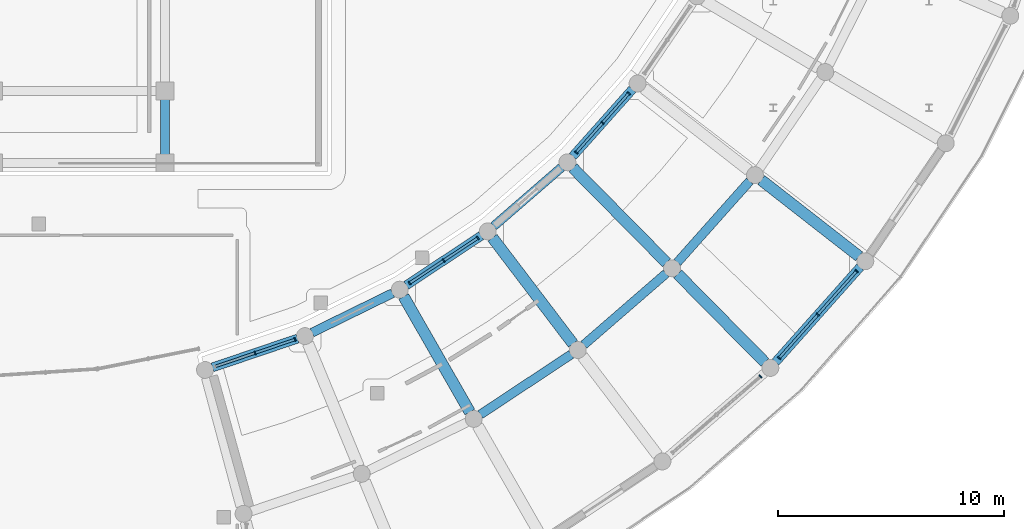
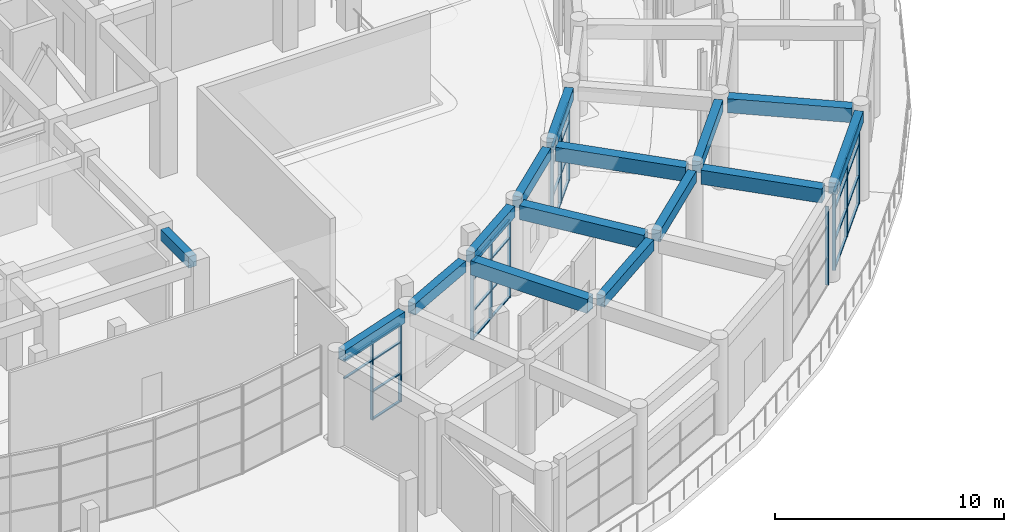
# One storey, part 29 of 99: 42 members, 15 beams, 5 elements without a shape of their own.
"""IFC4 building model written with IfcOpenShell, lengths in metres."""

from ifc_helpers import new_model, si_unit, direction, frame, origin, origin_2d, place, context, subcontext, project, spatial, rectangle, extrude, material, material_profile, profile_set, type_object, element, aggregate, save


model = new_model("IFC4")

# Units and contexts
model_context = context("Model", 3, precision=1e-05, world=origin(), true_north=direction((0.0, 1.0)))
body_context = subcontext(model_context, "Body", "Model", "MODEL_VIEW")
ifc_project = project(units=[si_unit("LENGTHUNIT", "METRE"), si_unit("AREAUNIT", "SQUARE_METRE"), si_unit("VOLUMEUNIT", "CUBIC_METRE"), si_unit("PLANEANGLEUNIT", "RADIAN"), si_unit("MASSUNIT", "GRAM", prefix="KILO")], contexts=[model_context])

# Site, building, storey
site_placement = place(None, origin())
site = spatial("IfcSite", under=ifc_project, at=site_placement, CompositionType="ELEMENT")
building_placement = place(site_placement, origin())
building = spatial("IfcBuilding", under=site, at=building_placement, Name="Saryqyr Civic Hall", CompositionType="ELEMENT")
storey_placement = place(building_placement, origin())
storey = spatial("IfcBuildingStorey", under=building, at=storey_placement, Name="L00", CompositionType="ELEMENT", Elevation=0.0)

# Curtain wall, members
ifc_material_1 = material(Name="Anodised aluminium and triple low-E glass", Category="aluminium")
curtain_wall_type_1 = type_object("IfcCurtainWallType", Name="ENV-CW-STD-07", PredefinedType="NOTDEFINED", material=ifc_material_1)
curtain_wall_1_placement = place(storey_placement, origin())
curtain_wall_1 = element("IfcCurtainWall", 1, at=curtain_wall_1_placement, inside=storey, type_object=curtain_wall_type_1, Name="Curtain wall V5-CWI-L00-00", PredefinedType="NOTDEFINED")
ifc_material_2 = material(Name="Anodised aluminium", Category="aluminium")
ifc_material_profile_1 = material_profile(ifc_material_2, rectangle(XDim=0.06005859375, YDim=0.159912109375, at=origin_2d()), Name="ALU MULLION 60x160")
ifc_profile_set_1 = profile_set([ifc_material_profile_1], Name="Anodised aluminium")
member_type_1 = type_object("IfcMemberType", Name="ENV-CW-MUL-180", PredefinedType="MULLION", material=ifc_profile_set_1)
member_1_placement = place(storey_placement, frame((68.58349609375, 49.782958984375, 0.0), z_axis=(0.0, 0.0, 1.0), x_axis=(0.947204286337, 0.320630690896, 0.0)))
member_1 = element("IfcMember", 2, at=member_1_placement, type_object=member_type_1, Name="CW-07 mullion 2", PredefinedType="MULLION", context=body_context, shape_type="SweptSolid", body=[
    extrude(rectangle(XDim=0.06005859375, YDim=0.159912109375, at=origin_2d()), origin(), (0.0, 0.0, 1.0), 4.195068359375),
])
member_2_placement = place(storey_placement, frame((70.354248046875, 50.382568359375, 0.0), z_axis=(0.0, 0.0, 1.0), x_axis=(0.947204286337, 0.320630690896, 0.0)))
member_2 = element("IfcMember", 3, at=member_2_placement, type_object=member_type_1, Name="CW-07 mullion 3", PredefinedType="MULLION", context=body_context, shape_type="SweptSolid", body=[
    extrude(rectangle(XDim=0.06005859375, YDim=0.159912109375, at=origin_2d()), origin(), (0.0, 0.0, 1.0), 4.195068359375),
])

curtain_wall_type_2 = type_object("IfcCurtainWallType", Name="ENV-CW-STD-09", PredefinedType="NOTDEFINED", material=ifc_material_1)
curtain_wall_2_placement = place(storey_placement, origin())
curtain_wall_2 = element("IfcCurtainWall", 4, at=curtain_wall_2_placement, inside=storey, type_object=curtain_wall_type_2, Name="Curtain wall V5-CWI-L00-02", PredefinedType="NOTDEFINED")
member_3_placement = place(storey_placement, frame((75.435791015625, 52.88134765625, 0.0), z_axis=(0.0, 0.0, 1.0), x_axis=(0.83376461572, 0.552120064455, 0.0)))
member_3 = element("IfcMember", 5, at=member_3_placement, type_object=member_type_1, Name="CW-09 mullion 1", PredefinedType="MULLION", context=body_context, shape_type="SweptSolid", body=[
    extrude(rectangle(XDim=0.06005859375, YDim=0.159912109375, at=origin_2d()), origin(), (0.0, 0.0, 1.0), 4.195068359375),
])
member_4_placement = place(storey_placement, frame((76.945068359375, 53.880615234375, 0.0), z_axis=(0.0, 0.0, 1.0), x_axis=(0.83376461572, 0.552120064455, 0.0)))
member_4 = element("IfcMember", 6, at=member_4_placement, type_object=member_type_1, Name="CW-09 mullion 2", PredefinedType="MULLION", context=body_context, shape_type="SweptSolid", body=[
    extrude(rectangle(XDim=0.06005859375, YDim=0.159912109375, at=origin_2d()), origin(), (0.0, 0.0, 1.0), 4.195068359375),
])
member_5_placement = place(storey_placement, frame((78.4541015625, 54.8798828125, 0.0), z_axis=(0.0, 0.0, 1.0), x_axis=(0.83376461572, 0.552120064455, 0.0)))
member_5 = element("IfcMember", 7, at=member_5_placement, type_object=member_type_1, Name="CW-09 mullion 3", PredefinedType="MULLION", context=body_context, shape_type="SweptSolid", body=[
    extrude(rectangle(XDim=0.06005859375, YDim=0.159912109375, at=origin_2d()), origin(), (0.0, 0.0, 1.0), 4.195068359375),
])

# Curtain wall, member
curtain_wall_type_3 = type_object("IfcCurtainWallType", Name="ENV-CW-STD-34", PredefinedType="NOTDEFINED", material=ifc_material_1)
curtain_wall_3_placement = place(storey_placement, origin())
curtain_wall_3 = element("IfcCurtainWall", 8, at=curtain_wall_3_placement, inside=storey, type_object=curtain_wall_type_3, Name="Curtain wall V5-CWO-L00-03", PredefinedType="NOTDEFINED")
member_6_placement = place(storey_placement, frame((90.97998046875, 48.743408203125, 0.0), z_axis=(0.0, 0.0, 1.0), x_axis=(-0.755656276333, -0.654968390107, 0.0)))
member_6 = element("IfcMember", 9, at=member_6_placement, type_object=member_type_1, Name="CW-34 mullion 1", PredefinedType="MULLION", context=body_context, shape_type="SweptSolid", body=[
    extrude(rectangle(XDim=0.06005859375, YDim=0.159912109375, at=origin_2d()), origin(), (0.0, 0.0, 1.0), 4.195068359375),
])
aggregate(curtain_wall_3, [member_6])

# Curtain wall, members
curtain_wall_4_placement = place(storey_placement, origin())
curtain_wall_4 = element("IfcCurtainWall", 10, at=curtain_wall_4_placement, inside=storey, type_object=curtain_wall_type_3, Name="Curtain wall V5-CWO-L00-04", PredefinedType="NOTDEFINED")
member_7_placement = place(storey_placement, frame((95.236328125, 53.412109375, 0.0), z_axis=(0.0, 0.0, 1.0), x_axis=(-0.66492757673, -0.74690783749, 0.0)))
member_7 = element("IfcMember", 11, at=member_7_placement, type_object=member_type_1, Name="CW-34 mullion 1", PredefinedType="MULLION", context=body_context, shape_type="SweptSolid", body=[
    extrude(rectangle(XDim=0.06005859375, YDim=0.159912109375, at=origin_2d()), origin(), (0.0, 0.0, 1.0), 4.195068359375),
])
member_8_placement = place(storey_placement, frame((93.521728515625, 51.486083984375, 0.0), z_axis=(0.0, 0.0, 1.0), x_axis=(-0.66492757673, -0.74690783749, 0.0)))
member_8 = element("IfcMember", 12, at=member_8_placement, type_object=member_type_1, Name="CW-34 mullion 2", PredefinedType="MULLION", context=body_context, shape_type="SweptSolid", body=[
    extrude(rectangle(XDim=0.06005859375, YDim=0.159912109375, at=origin_2d()), origin(), (0.0, 0.0, 1.0), 4.195068359375),
])
member_9_placement = place(storey_placement, frame((91.80712890625, 49.56005859375, 0.0), z_axis=(0.0, 0.0, 1.0), x_axis=(-0.66492757673, -0.74690783749, 0.0)))
member_9 = element("IfcMember", 13, at=member_9_placement, type_object=member_type_1, Name="CW-34 mullion 3", PredefinedType="MULLION", context=body_context, shape_type="SweptSolid", body=[
    extrude(rectangle(XDim=0.06005859375, YDim=0.159912109375, at=origin_2d()), origin(), (0.0, 0.0, 1.0), 4.195068359375),
])

curtain_wall_type_4 = type_object("IfcCurtainWallType", Name="ENV-CW-STD-11", PredefinedType="NOTDEFINED", material=ifc_material_1)
curtain_wall_5_placement = place(storey_placement, origin())
curtain_wall_5 = element("IfcCurtainWall", 14, at=curtain_wall_5_placement, inside=storey, type_object=curtain_wall_type_4, Name="Curtain wall V5-CWI-L00-04", PredefinedType="NOTDEFINED")
member_10_placement = place(storey_placement, frame((82.81640625, 58.6708984375, 0.0), z_axis=(0.0, 0.0, 1.0), x_axis=(0.664924429833, 0.746910638973, 0.0)))
member_10 = element("IfcMember", 15, at=member_10_placement, type_object=member_type_1, Name="CW-11 mullion 1", PredefinedType="MULLION", context=body_context, shape_type="SweptSolid", body=[
    extrude(rectangle(XDim=0.06005859375, YDim=0.159912109375, at=origin_2d()), origin(), (0.0, 0.0, 1.0), 4.195068359375),
])
member_11_placement = place(storey_placement, frame((83.981201171875, 59.9794921875, 0.0), z_axis=(0.0, 0.0, 1.0), x_axis=(0.664924429833, 0.746910638973, 0.0)))
member_11 = element("IfcMember", 16, at=member_11_placement, type_object=member_type_1, Name="CW-11 mullion 2", PredefinedType="MULLION", context=body_context, shape_type="SweptSolid", body=[
    extrude(rectangle(XDim=0.06005859375, YDim=0.159912109375, at=origin_2d()), origin(), (0.0, 0.0, 1.0), 4.195068359375),
])
member_12_placement = place(storey_placement, frame((85.146240234375, 61.2880859375, 0.0), z_axis=(0.0, 0.0, 1.0), x_axis=(0.664924429833, 0.746910638973, 0.0)))
member_12 = element("IfcMember", 17, at=member_12_placement, type_object=member_type_1, Name="CW-11 mullion 3", PredefinedType="MULLION", context=body_context, shape_type="SweptSolid", body=[
    extrude(rectangle(XDim=0.06005859375, YDim=0.159912109375, at=origin_2d()), origin(), (0.0, 0.0, 1.0), 4.195068359375),
])

# Member
ifc_material_profile_2 = material_profile(ifc_material_2, rectangle(XDim=0.1201171875, YDim=0.06005859375, at=origin_2d()), Name="ALU TRANSOM 120x60")
ifc_profile_set_2 = profile_set([ifc_material_profile_2], Name="Anodised aluminium")
member_type_2 = type_object("IfcMemberType", Name="ENV-CW-TRN-150", PredefinedType="USERDEFINED", material=ifc_profile_set_2)
member_13_placement = place(storey_placement, frame((66.841064453125, 49.193359375, 3.18798828125), z_axis=(0.947215969573, 0.320596174317, 0.0), x_axis=(-0.320596174317, 0.947215969573, 0.0)))
member_13 = element("IfcMember", 18, at=member_13_placement, type_object=member_type_2, Name="CW-07 transom 1.3", ObjectType="TRANSOM", PredefinedType="USERDEFINED", context=body_context, shape_type="SweptSolid", body=[
    extrude(rectangle(XDim=0.1201171875, YDim=0.06005859375, at=origin_2d()), origin(), (0.0, 0.0, 1.0), 1.809326171875),
])

member_14_placement = place(storey_placement, frame((66.841064453125, 49.193359375, 4.1650390625), z_axis=(0.947215969573, 0.320596174317, 0.0), x_axis=(-0.320596174317, 0.947215969573, 0.0)))
member_14 = element("IfcMember", 19, at=member_14_placement, type_object=member_type_2, Name="CW-07 transom 1.4", ObjectType="TRANSOM", PredefinedType="USERDEFINED", context=body_context, shape_type="SweptSolid", body=[
    extrude(rectangle(XDim=0.1201171875, YDim=0.06005859375, at=origin_2d()), origin(), (0.0, 0.0, 1.0), 1.809326171875),
])

member_15_placement = place(storey_placement, frame((68.61181640625, 49.792724609375, 0.030029296875), z_axis=(0.947229835385, 0.320555204227, 0.0), x_axis=(-0.320555204227, 0.947229835385, 0.0)))
member_15 = element("IfcMember", 20, at=member_15_placement, type_object=member_type_2, Name="CW-07 transom 2.1", ObjectType="TRANSOM", PredefinedType="USERDEFINED", context=body_context, shape_type="SweptSolid", body=[
    extrude(rectangle(XDim=0.1201171875, YDim=0.06005859375, at=origin_2d()), origin(), (0.0, 0.0, 1.0), 1.8095703125),
])

member_16_placement = place(storey_placement, frame((68.61181640625, 49.792724609375, 1.510009765625), z_axis=(0.947229835385, 0.320555204227, 0.0), x_axis=(-0.320555204227, 0.947229835385, 0.0)))
member_16 = element("IfcMember", 21, at=member_16_placement, type_object=member_type_2, Name="CW-07 transom 2.2", ObjectType="TRANSOM", PredefinedType="USERDEFINED", context=body_context, shape_type="SweptSolid", body=[
    extrude(rectangle(XDim=0.1201171875, YDim=0.06005859375, at=origin_2d()), origin(), (0.0, 0.0, 1.0), 1.8095703125),
])

member_17_placement = place(storey_placement, frame((68.61181640625, 49.792724609375, 3.18798828125), z_axis=(0.947229835385, 0.320555204227, 0.0), x_axis=(-0.320555204227, 0.947229835385, 0.0)))
member_17 = element("IfcMember", 22, at=member_17_placement, type_object=member_type_2, Name="CW-07 transom 2.3", ObjectType="TRANSOM", PredefinedType="USERDEFINED", context=body_context, shape_type="SweptSolid", body=[
    extrude(rectangle(XDim=0.1201171875, YDim=0.06005859375, at=origin_2d()), origin(), (0.0, 0.0, 1.0), 1.8095703125),
])

member_18_placement = place(storey_placement, frame((68.61181640625, 49.792724609375, 4.1650390625), z_axis=(0.947229835385, 0.320555204227, 0.0), x_axis=(-0.320555204227, 0.947229835385, 0.0)))
member_18 = element("IfcMember", 23, at=member_18_placement, type_object=member_type_2, Name="CW-07 transom 2.4", ObjectType="TRANSOM", PredefinedType="USERDEFINED", context=body_context, shape_type="SweptSolid", body=[
    extrude(rectangle(XDim=0.1201171875, YDim=0.06005859375, at=origin_2d()), origin(), (0.0, 0.0, 1.0), 1.8095703125),
])

aggregate(curtain_wall_1, [member_1, member_2, member_13, member_14, member_15, member_16, member_17, member_18])

member_19_placement = place(storey_placement, frame((75.4609375, 52.89794921875, 0.030029296875), z_axis=(0.833784868742, 0.552089478851, 0.0), x_axis=(-0.552089478851, 0.833784868742, 0.0)))
member_19 = element("IfcMember", 24, at=member_19_placement, type_object=member_type_2, Name="CW-09 transom 1.1", ObjectType="TRANSOM", PredefinedType="USERDEFINED", context=body_context, shape_type="SweptSolid", body=[
    extrude(rectangle(XDim=0.1201171875, YDim=0.06005859375, at=origin_2d()), origin(), (0.0, 0.0, 1.0), 1.749755859375),
])

member_20_placement = place(storey_placement, frame((75.4609375, 52.89794921875, 1.510009765625), z_axis=(0.833784868742, 0.552089478851, 0.0), x_axis=(-0.552089478851, 0.833784868742, 0.0)))
member_20 = element("IfcMember", 25, at=member_20_placement, type_object=member_type_2, Name="CW-09 transom 1.2", ObjectType="TRANSOM", PredefinedType="USERDEFINED", context=body_context, shape_type="SweptSolid", body=[
    extrude(rectangle(XDim=0.1201171875, YDim=0.06005859375, at=origin_2d()), origin(), (0.0, 0.0, 1.0), 1.749755859375),
])

member_21_placement = place(storey_placement, frame((75.4609375, 52.89794921875, 3.18798828125), z_axis=(0.833784868742, 0.552089478851, 0.0), x_axis=(-0.552089478851, 0.833784868742, 0.0)))
member_21 = element("IfcMember", 26, at=member_21_placement, type_object=member_type_2, Name="CW-09 transom 1.3", ObjectType="TRANSOM", PredefinedType="USERDEFINED", context=body_context, shape_type="SweptSolid", body=[
    extrude(rectangle(XDim=0.1201171875, YDim=0.06005859375, at=origin_2d()), origin(), (0.0, 0.0, 1.0), 1.749755859375),
])

member_22_placement = place(storey_placement, frame((75.4609375, 52.89794921875, 4.1650390625), z_axis=(0.833784868742, 0.552089478851, 0.0), x_axis=(-0.552089478851, 0.833784868742, 0.0)))
member_22 = element("IfcMember", 27, at=member_22_placement, type_object=member_type_2, Name="CW-09 transom 1.4", ObjectType="TRANSOM", PredefinedType="USERDEFINED", context=body_context, shape_type="SweptSolid", body=[
    extrude(rectangle(XDim=0.1201171875, YDim=0.06005859375, at=origin_2d()), origin(), (0.0, 0.0, 1.0), 1.749755859375),
])

member_23_placement = place(storey_placement, frame((76.969970703125, 53.897216796875, 0.030029296875), z_axis=(0.833784868742, 0.552089478851, 0.0), x_axis=(-0.552089478851, 0.833784868742, 0.0)))
member_23 = element("IfcMember", 28, at=member_23_placement, type_object=member_type_2, Name="CW-09 transom 2.1", ObjectType="TRANSOM", PredefinedType="USERDEFINED", context=body_context, shape_type="SweptSolid", body=[
    extrude(rectangle(XDim=0.1201171875, YDim=0.06005859375, at=origin_2d()), origin(), (0.0, 0.0, 1.0), 1.749755859375),
])

member_24_placement = place(storey_placement, frame((76.969970703125, 53.897216796875, 1.510009765625), z_axis=(0.833784868742, 0.552089478851, 0.0), x_axis=(-0.552089478851, 0.833784868742, 0.0)))
member_24 = element("IfcMember", 29, at=member_24_placement, type_object=member_type_2, Name="CW-09 transom 2.2", ObjectType="TRANSOM", PredefinedType="USERDEFINED", context=body_context, shape_type="SweptSolid", body=[
    extrude(rectangle(XDim=0.1201171875, YDim=0.06005859375, at=origin_2d()), origin(), (0.0, 0.0, 1.0), 1.749755859375),
])

member_25_placement = place(storey_placement, frame((76.969970703125, 53.897216796875, 3.18798828125), z_axis=(0.833784868742, 0.552089478851, 0.0), x_axis=(-0.552089478851, 0.833784868742, 0.0)))
member_25 = element("IfcMember", 30, at=member_25_placement, type_object=member_type_2, Name="CW-09 transom 2.3", ObjectType="TRANSOM", PredefinedType="USERDEFINED", context=body_context, shape_type="SweptSolid", body=[
    extrude(rectangle(XDim=0.1201171875, YDim=0.06005859375, at=origin_2d()), origin(), (0.0, 0.0, 1.0), 1.749755859375),
])

member_26_placement = place(storey_placement, frame((76.969970703125, 53.897216796875, 4.1650390625), z_axis=(0.833784868742, 0.552089478851, 0.0), x_axis=(-0.552089478851, 0.833784868742, 0.0)))
member_26 = element("IfcMember", 31, at=member_26_placement, type_object=member_type_2, Name="CW-09 transom 2.4", ObjectType="TRANSOM", PredefinedType="USERDEFINED", context=body_context, shape_type="SweptSolid", body=[
    extrude(rectangle(XDim=0.1201171875, YDim=0.06005859375, at=origin_2d()), origin(), (0.0, 0.0, 1.0), 1.749755859375),
])

aggregate(curtain_wall_2, [member_3, member_4, member_5, member_19, member_20, member_21, member_22, member_23, member_24, member_25, member_26])

member_27_placement = place(storey_placement, frame((95.21630859375, 53.3896484375, 0.030029296875), z_axis=(-0.664911204204, -0.746922412654, 0.0), x_axis=(0.746922412654, -0.664911204204, 0.0)))
member_27 = element("IfcMember", 32, at=member_27_placement, type_object=member_type_2, Name="CW-34 transom 1.1", ObjectType="TRANSOM", PredefinedType="USERDEFINED", context=body_context, shape_type="SweptSolid", body=[
    extrude(rectangle(XDim=0.1201171875, YDim=0.06005859375, at=origin_2d()), origin(), (0.0, 0.0, 1.0), 2.5185546875),
])

member_28_placement = place(storey_placement, frame((95.21630859375, 53.3896484375, 1.510009765625), z_axis=(-0.664911204204, -0.746922412654, 0.0), x_axis=(0.746922412654, -0.664911204204, 0.0)))
member_28 = element("IfcMember", 33, at=member_28_placement, type_object=member_type_2, Name="CW-34 transom 1.2", ObjectType="TRANSOM", PredefinedType="USERDEFINED", context=body_context, shape_type="SweptSolid", body=[
    extrude(rectangle(XDim=0.1201171875, YDim=0.06005859375, at=origin_2d()), origin(), (0.0, 0.0, 1.0), 2.5185546875),
])

member_29_placement = place(storey_placement, frame((95.21630859375, 53.3896484375, 3.18798828125), z_axis=(-0.664911204204, -0.746922412654, 0.0), x_axis=(0.746922412654, -0.664911204204, 0.0)))
member_29 = element("IfcMember", 34, at=member_29_placement, type_object=member_type_2, Name="CW-34 transom 1.3", ObjectType="TRANSOM", PredefinedType="USERDEFINED", context=body_context, shape_type="SweptSolid", body=[
    extrude(rectangle(XDim=0.1201171875, YDim=0.06005859375, at=origin_2d()), origin(), (0.0, 0.0, 1.0), 2.5185546875),
])

member_30_placement = place(storey_placement, frame((95.21630859375, 53.3896484375, 4.1650390625), z_axis=(-0.664911204204, -0.746922412654, 0.0), x_axis=(0.746922412654, -0.664911204204, 0.0)))
member_30 = element("IfcMember", 35, at=member_30_placement, type_object=member_type_2, Name="CW-34 transom 1.4", ObjectType="TRANSOM", PredefinedType="USERDEFINED", context=body_context, shape_type="SweptSolid", body=[
    extrude(rectangle(XDim=0.1201171875, YDim=0.06005859375, at=origin_2d()), origin(), (0.0, 0.0, 1.0), 2.5185546875),
])

member_31_placement = place(storey_placement, frame((93.501708984375, 51.463623046875, 0.030029296875), z_axis=(-0.664911204204, -0.746922412654, 0.0), x_axis=(0.746922412654, -0.664911204204, 0.0)))
member_31 = element("IfcMember", 36, at=member_31_placement, type_object=member_type_2, Name="CW-34 transom 2.1", ObjectType="TRANSOM", PredefinedType="USERDEFINED", context=body_context, shape_type="SweptSolid", body=[
    extrude(rectangle(XDim=0.1201171875, YDim=0.06005859375, at=origin_2d()), origin(), (0.0, 0.0, 1.0), 2.5185546875),
])

member_32_placement = place(storey_placement, frame((93.501708984375, 51.463623046875, 1.510009765625), z_axis=(-0.664911204204, -0.746922412654, 0.0), x_axis=(0.746922412654, -0.664911204204, 0.0)))
member_32 = element("IfcMember", 37, at=member_32_placement, type_object=member_type_2, Name="CW-34 transom 2.2", ObjectType="TRANSOM", PredefinedType="USERDEFINED", context=body_context, shape_type="SweptSolid", body=[
    extrude(rectangle(XDim=0.1201171875, YDim=0.06005859375, at=origin_2d()), origin(), (0.0, 0.0, 1.0), 2.5185546875),
])

member_33_placement = place(storey_placement, frame((93.501708984375, 51.463623046875, 3.18798828125), z_axis=(-0.664911204204, -0.746922412654, 0.0), x_axis=(0.746922412654, -0.664911204204, 0.0)))
member_33 = element("IfcMember", 38, at=member_33_placement, type_object=member_type_2, Name="CW-34 transom 2.3", ObjectType="TRANSOM", PredefinedType="USERDEFINED", context=body_context, shape_type="SweptSolid", body=[
    extrude(rectangle(XDim=0.1201171875, YDim=0.06005859375, at=origin_2d()), origin(), (0.0, 0.0, 1.0), 2.5185546875),
])

member_34_placement = place(storey_placement, frame((93.501708984375, 51.463623046875, 4.1650390625), z_axis=(-0.664911204204, -0.746922412654, 0.0), x_axis=(0.746922412654, -0.664911204204, 0.0)))
member_34 = element("IfcMember", 39, at=member_34_placement, type_object=member_type_2, Name="CW-34 transom 2.4", ObjectType="TRANSOM", PredefinedType="USERDEFINED", context=body_context, shape_type="SweptSolid", body=[
    extrude(rectangle(XDim=0.1201171875, YDim=0.06005859375, at=origin_2d()), origin(), (0.0, 0.0, 1.0), 2.5185546875),
])

aggregate(curtain_wall_4, [member_7, member_8, member_9, member_27, member_28, member_29, member_30, member_31, member_32, member_33, member_34])

member_35_placement = place(storey_placement, frame((82.836181640625, 58.693359375, 0.030029296875), z_axis=(0.665017352637, 0.746827905673, 0.0), x_axis=(-0.746827905673, 0.665017352637, 0.0)))
member_35 = element("IfcMember", 40, at=member_35_placement, type_object=member_type_2, Name="CW-11 transom 1.1", ObjectType="TRANSOM", PredefinedType="USERDEFINED", context=body_context, shape_type="SweptSolid", body=[
    extrude(rectangle(XDim=0.1201171875, YDim=0.06005859375, at=origin_2d()), origin(), (0.0, 0.0, 1.0), 1.692138671875),
])

member_36_placement = place(storey_placement, frame((82.836181640625, 58.693359375, 1.510009765625), z_axis=(0.665017352637, 0.746827905673, 0.0), x_axis=(-0.746827905673, 0.665017352637, 0.0)))
member_36 = element("IfcMember", 41, at=member_36_placement, type_object=member_type_2, Name="CW-11 transom 1.2", ObjectType="TRANSOM", PredefinedType="USERDEFINED", context=body_context, shape_type="SweptSolid", body=[
    extrude(rectangle(XDim=0.1201171875, YDim=0.06005859375, at=origin_2d()), origin(), (0.0, 0.0, 1.0), 1.692138671875),
])

member_37_placement = place(storey_placement, frame((82.836181640625, 58.693359375, 3.18798828125), z_axis=(0.665017352637, 0.746827905673, 0.0), x_axis=(-0.746827905673, 0.665017352637, 0.0)))
member_37 = element("IfcMember", 42, at=member_37_placement, type_object=member_type_2, Name="CW-11 transom 1.3", ObjectType="TRANSOM", PredefinedType="USERDEFINED", context=body_context, shape_type="SweptSolid", body=[
    extrude(rectangle(XDim=0.1201171875, YDim=0.06005859375, at=origin_2d()), origin(), (0.0, 0.0, 1.0), 1.692138671875),
])

member_38_placement = place(storey_placement, frame((82.836181640625, 58.693359375, 4.1650390625), z_axis=(0.665017352637, 0.746827905673, 0.0), x_axis=(-0.746827905673, 0.665017352637, 0.0)))
member_38 = element("IfcMember", 43, at=member_38_placement, type_object=member_type_2, Name="CW-11 transom 1.4", ObjectType="TRANSOM", PredefinedType="USERDEFINED", context=body_context, shape_type="SweptSolid", body=[
    extrude(rectangle(XDim=0.1201171875, YDim=0.06005859375, at=origin_2d()), origin(), (0.0, 0.0, 1.0), 1.692138671875),
])

member_39_placement = place(storey_placement, frame((84.001220703125, 60.001953125, 0.030029296875), z_axis=(0.664936864874, 0.746899568704, 0.0), x_axis=(-0.746899568704, 0.664936864874, 0.0)))
member_39 = element("IfcMember", 44, at=member_39_placement, type_object=member_type_2, Name="CW-11 transom 2.1", ObjectType="TRANSOM", PredefinedType="USERDEFINED", context=body_context, shape_type="SweptSolid", body=[
    extrude(rectangle(XDim=0.1201171875, YDim=0.06005859375, at=origin_2d()), origin(), (0.0, 0.0, 1.0), 1.69189453125),
])

member_40_placement = place(storey_placement, frame((84.001220703125, 60.001953125, 1.510009765625), z_axis=(0.664936864874, 0.746899568704, 0.0), x_axis=(-0.746899568704, 0.664936864874, 0.0)))
member_40 = element("IfcMember", 45, at=member_40_placement, type_object=member_type_2, Name="CW-11 transom 2.2", ObjectType="TRANSOM", PredefinedType="USERDEFINED", context=body_context, shape_type="SweptSolid", body=[
    extrude(rectangle(XDim=0.1201171875, YDim=0.06005859375, at=origin_2d()), origin(), (0.0, 0.0, 1.0), 1.69189453125),
])

member_41_placement = place(storey_placement, frame((84.001220703125, 60.001953125, 3.18798828125), z_axis=(0.664936864874, 0.746899568704, 0.0), x_axis=(-0.746899568704, 0.664936864874, 0.0)))
member_41 = element("IfcMember", 46, at=member_41_placement, type_object=member_type_2, Name="CW-11 transom 2.3", ObjectType="TRANSOM", PredefinedType="USERDEFINED", context=body_context, shape_type="SweptSolid", body=[
    extrude(rectangle(XDim=0.1201171875, YDim=0.06005859375, at=origin_2d()), origin(), (0.0, 0.0, 1.0), 1.69189453125),
])

member_42_placement = place(storey_placement, frame((84.001220703125, 60.001953125, 4.1650390625), z_axis=(0.664936864874, 0.746899568704, 0.0), x_axis=(-0.746899568704, 0.664936864874, 0.0)))
member_42 = element("IfcMember", 47, at=member_42_placement, type_object=member_type_2, Name="CW-11 transom 2.4", ObjectType="TRANSOM", PredefinedType="USERDEFINED", context=body_context, shape_type="SweptSolid", body=[
    extrude(rectangle(XDim=0.1201171875, YDim=0.06005859375, at=origin_2d()), origin(), (0.0, 0.0, 1.0), 1.69189453125),
])

aggregate(curtain_wall_5, [member_10, member_11, member_12, member_35, member_36, member_37, member_38, member_39, member_40, member_41, member_42])

# Beams
ifc_material_3 = material(Name="Concrete C35/45", Category="concrete")
ifc_material_profile_3 = material_profile(ifc_material_3, rectangle(XDim=0.39990234375, YDim=0.60009765625, at=origin_2d()), Name="RC 400x600")
ifc_profile_set_3 = profile_set([ifc_material_profile_3], Name="Concrete C35/45")
beam_type_1 = type_object("IfcBeamType", Name="STR-BM-RC400x600", PredefinedType="BEAM", material=ifc_profile_set_3)
beam_1_placement = place(storey_placement, frame((64.60009765625, 58.574951171875, 4.52001953125), z_axis=(0.0, 1.0, 0.0), x_axis=(-1.0, 0.0, 0.0)))
element("IfcBeam", 48, at=beam_1_placement, inside=storey, type_object=beam_type_1, Name="Beam V1-TBM-09-L00", PredefinedType="BEAM", context=body_context, shape_type="SweptSolid", body=[
    extrude(rectangle(XDim=0.39990234375, YDim=0.60009765625, at=origin_2d()), origin(), (0.0, 0.0, 1.0), 2.449951171875),
])
for number, where, z_axis, x_axis, name in (
    (49, (78.56884765625, 47.056640625, 4.52001953125), (0.833757954483, 0.552130123555, 0.0), (-0.552130123555, 0.833757954483, 0.0), "Beam V5-CBM-MID02-L00"),
    (50, (83.150390625, 50.14453125, 4.52001953125), (0.755632347986, 0.654995995925, 0.0), (-0.654995995925, 0.755632347986, 0.0), "Beam V5-CBM-MID03-L00"),
):
    element("IfcBeam", number, at=place(storey_placement, frame(where, z_axis=z_axis, x_axis=x_axis)), inside=storey, type_object=beam_type_1, Name=name, PredefinedType="BEAM", context=body_context, shape_type="SweptSolid", body=[
        extrude(rectangle(XDim=0.39990234375, YDim=0.60009765625, at=origin_2d()), origin(), (0.0, 0.0, 1.0), 4.82763671875),
    ])
beam_2_placement = place(storey_placement, frame((87.29541015625, 53.797119140625, 4.52001953125), z_axis=(0.664931763448, 0.746904110284, 0.0), x_axis=(-0.746904110284, 0.664931763448, 0.0)))
element("IfcBeam", 51, at=beam_2_placement, inside=storey, type_object=beam_type_1, Name="Beam V5-CBM-MID04-L00", PredefinedType="BEAM", context=body_context, shape_type="SweptSolid", body=[
    extrude(rectangle(XDim=0.39990234375, YDim=0.60009765625, at=origin_2d()), origin(), (0.0, 0.0, 1.0), 4.827880859375),
])
ifc_material_profile_4 = material_profile(ifc_material_3, rectangle(XDim=0.39990234375, YDim=0.60009765625, at=origin_2d()), Name="RC 400x600")
ifc_profile_set_4 = profile_set([ifc_material_profile_4], Name="Concrete C35/45")
beam_type_2 = type_object("IfcBeamType", Name="STR-BM-RC400x600-EXT", PredefinedType="BEAM", material=ifc_profile_set_4)
beam_3_placement = place(storey_placement, frame((66.70068359375, 49.145751953125, 4.52001953125), z_axis=(0.947205353495, 0.320627538291, 0.0), x_axis=(-0.320627538291, 0.947205353495, 0.0)))
element("IfcBeam", 52, at=beam_3_placement, inside=storey, type_object=beam_type_2, Name="Beam V5-CBM-IN00-L00", PredefinedType="BEAM", context=body_context, shape_type="SweptSolid", body=[
    extrude(rectangle(XDim=0.39990234375, YDim=0.60009765625, at=origin_2d()), origin(), (0.0, 0.0, 1.0), 3.9755859375),
])
beam_4_placement = place(storey_placement, frame((71.112060546875, 50.6865234375, 4.52001953125), z_axis=(0.897948801226, 0.440099932261, 0.0), x_axis=(-0.440099932261, 0.897948801226, 0.0)))
element("IfcBeam", 53, at=beam_4_placement, inside=storey, type_object=beam_type_2, Name="Beam V5-CBM-IN01-L00", PredefinedType="BEAM", context=body_context, shape_type="SweptSolid", body=[
    extrude(rectangle(XDim=0.39990234375, YDim=0.60009765625, at=origin_2d()), origin(), (0.0, 0.0, 1.0), 3.975341796875),
])
beam_5_placement = place(storey_placement, frame((75.28759765625, 52.783203125, 4.52001953125), z_axis=(0.833784627488, 0.5520898432, 0.0), x_axis=(-0.5520898432, 0.833784627488, 0.0)))
element("IfcBeam", 54, at=beam_5_placement, inside=storey, type_object=beam_type_2, Name="Beam V5-CBM-IN02-L00", PredefinedType="BEAM", context=body_context, shape_type="SweptSolid", body=[
    extrude(rectangle(XDim=0.39990234375, YDim=0.60009765625, at=origin_2d()), origin(), (0.0, 0.0, 1.0), 3.9755859375),
])
for number, where, z_axis, x_axis, name in (
    (55, (79.158447265625, 55.400390625, 4.52001953125), (0.755612078884, 0.655019378526, 0.0), (-0.655019378526, 0.755612078884, 0.0), "Beam V5-CBM-IN03-L00"),
    (56, (82.65966796875, 58.494873046875, 4.52001953125), (0.664923997391, 0.746911023947, 0.0), (-0.746911023947, 0.664923997391, 0.0), "Beam V5-CBM-IN04-L00"),
):
    element("IfcBeam", number, at=place(storey_placement, frame(where, z_axis=z_axis, x_axis=x_axis)), inside=storey, type_object=beam_type_2, Name=name, PredefinedType="BEAM", context=body_context, shape_type="SweptSolid", body=[
        extrude(rectangle(XDim=0.39990234375, YDim=0.60009765625, at=origin_2d()), origin(), (0.0, 0.0, 1.0), 3.975341796875),
    ])
beam_6_placement = place(storey_placement, frame((91.650390625, 49.384033203125, 4.52001953125), z_axis=(0.664950553028, 0.746887382426, 0.0), x_axis=(-0.746887382426, 0.664950553028, 0.0)))
element("IfcBeam", 57, at=beam_6_placement, inside=storey, type_object=beam_type_2, Name="Beam V5-CBM-OUT04-L00", PredefinedType="BEAM", context=body_context, shape_type="SweptSolid", body=[
    extrude(rectangle(XDim=0.39990234375, YDim=0.60009765625, at=origin_2d()), origin(), (0.0, 0.0, 1.0), 5.62841796875),
])
ifc_material_4 = material(Name="Concrete C40/50", Category="concrete")
ifc_material_profile_5 = material_profile(ifc_material_4, rectangle(XDim=0.5, YDim=0.75, at=origin_2d()), Name="RC 500x750")
ifc_profile_set_5 = profile_set([ifc_material_profile_5], Name="Concrete C40/50")
beam_type_3 = type_object("IfcBeamType", Name="STR-BM-RC500x750", PredefinedType="BEAM", material=ifc_profile_set_5)
beam_7_placement = place(storey_placement, frame((75.169921875, 52.286376953125, 4.445068359375), z_axis=(0.497127893874, -0.867677277064, 0.0), x_axis=(0.867677277064, 0.497127893874, 0.0)))
element("IfcBeam", 58, at=beam_7_placement, inside=storey, type_object=beam_type_3, Name="Beam V5-RBM-A02-L00", PredefinedType="BEAM", context=body_context, shape_type="SweptSolid", body=[
    extrude(rectangle(XDim=0.5, YDim=0.75, at=origin_2d()), origin(), (0.0, 0.0, 1.0), 5.900146484375),
])
beam_8_placement = place(storey_placement, frame((79.105712890625, 54.892578125, 4.445068359375), z_axis=(0.604815687785, -0.796365483813, 0.0), x_axis=(0.796365483813, 0.604815687785, 0.0)))
element("IfcBeam", 59, at=beam_8_placement, inside=storey, type_object=beam_type_3, Name="Beam V5-RBM-A03-L00", PredefinedType="BEAM", context=body_context, shape_type="SweptSolid", body=[
    extrude(rectangle(XDim=0.5, YDim=0.75, at=origin_2d()), origin(), (0.0, 0.0, 1.0), 5.89990234375),
])
beam_9_placement = place(storey_placement, frame((82.672607421875, 57.984375, 4.445068359375), z_axis=(0.702415447899, -0.711767194069, 0.0), x_axis=(0.711767194069, 0.702415447899, 0.0)))
element("IfcBeam", 60, at=beam_9_placement, inside=storey, type_object=beam_type_3, Name="Beam V5-RBM-A04-L00", PredefinedType="BEAM", context=body_context, shape_type="SweptSolid", body=[
    extrude(rectangle(XDim=0.5, YDim=0.75, at=origin_2d()), origin(), (0.0, 0.0, 1.0), 5.900146484375),
])
for number, where, z_axis, x_axis, name in (
    (61, (87.30859375, 53.28662109375, 4.445068359375), (0.70240825607, -0.711774291335, 0.0), (0.711774291335, 0.70240825607, 0.0), "Beam V5-RBM-B04-L00"),
    (62, (91.014404296875, 57.448974609375, 4.445068359375), (0.788270620476, -0.61532871613, 0.0), (0.61532871613, 0.788270620476, 0.0), "Beam V5-RBM-B05-L00"),
):
    element("IfcBeam", number, at=place(storey_placement, frame(where, z_axis=z_axis, x_axis=x_axis)), inside=storey, type_object=beam_type_3, Name=name, PredefinedType="BEAM", context=body_context, shape_type="SweptSolid", body=[
        extrude(rectangle(XDim=0.5, YDim=0.75, at=origin_2d()), origin(), (0.0, 0.0, 1.0), 5.5),
    ])

save(model, "model.ifc")
